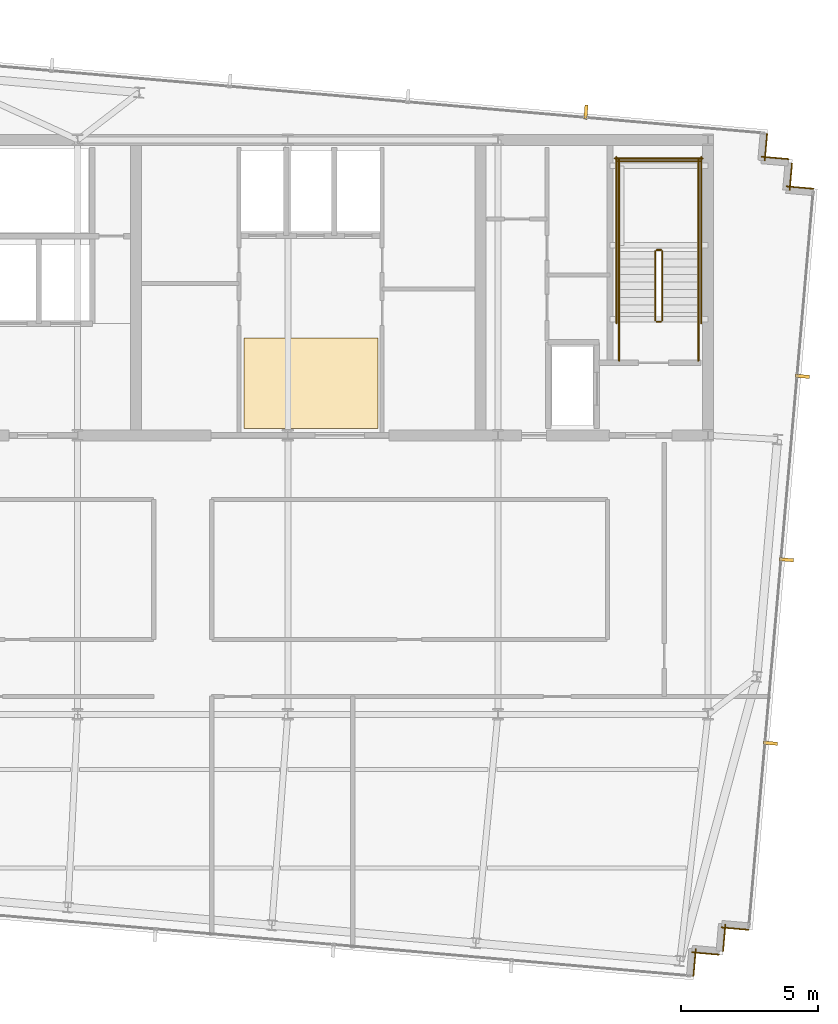
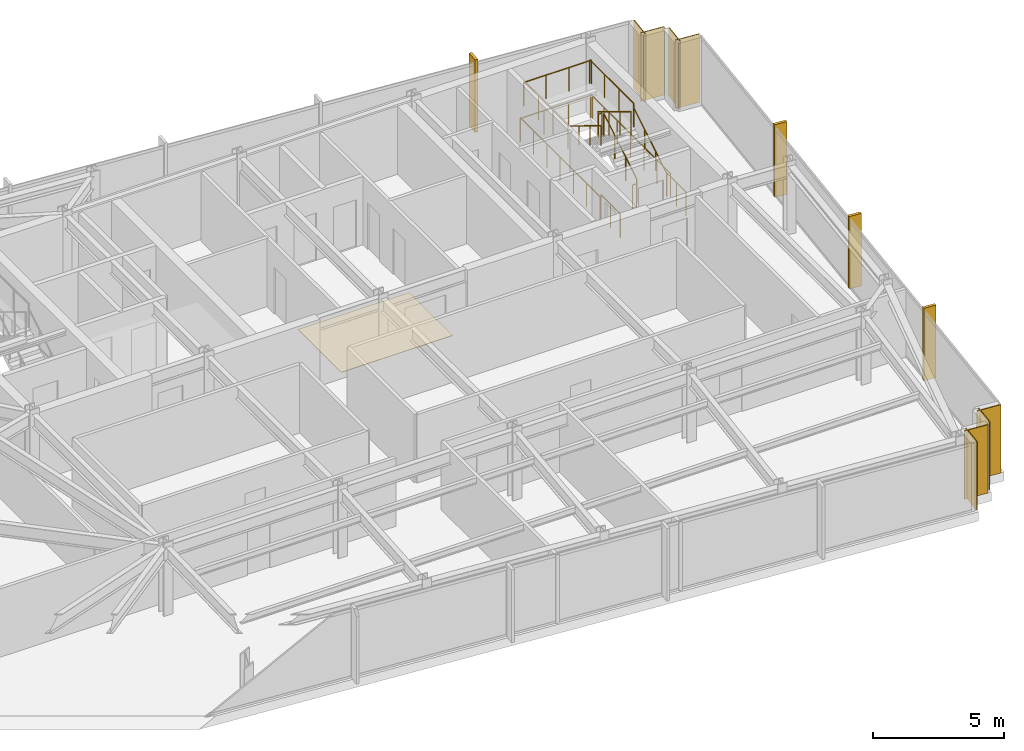
# One storey, part 31 of 32: 14 railings, 9 coverings, 4 shading devices.
"""IFC4 building model written with IfcOpenShell, lengths in metres."""

from ifc_helpers import new_model, si_unit, direction, frame, frame_2d, origin, origin_2d, place, context, subcontext, project, spatial, polyline, rectangle, circle, outline, extrude, material, layer, layer_set, type_object, element, save


model = new_model("IFC4")

# Units and contexts
model_context = context("Model", 3, precision=1e-05, world=origin(), true_north=direction((0.0, 1.0)))
body_context = subcontext(model_context, "Body", "Model", "MODEL_VIEW")
ifc_project = project(units=[si_unit("LENGTHUNIT", "METRE"), si_unit("AREAUNIT", "SQUARE_METRE"), si_unit("VOLUMEUNIT", "CUBIC_METRE"), si_unit("PLANEANGLEUNIT", "RADIAN"), si_unit("MASSUNIT", "GRAM", prefix="KILO")], contexts=[model_context])

# Site, building, storey
site_placement = place(None, origin())
site = spatial("IfcSite", under=ifc_project, at=site_placement, CompositionType="ELEMENT")
building_placement = place(site_placement, origin())
building = spatial("IfcBuilding", under=site, at=building_placement, Name="Yelkora Congress Tower", CompositionType="ELEMENT")
storey_placement = place(building_placement, frame((0.0, 0.0, 259.10009765625)))
storey = spatial("IfcBuildingStorey", under=building, at=storey_placement, Name="L72", CompositionType="ELEMENT", Elevation=259.10009765625)

# Coverings
ifc_material_1 = material(Name="Anatolian bush-hammered limestone", Category="masonry")
ifc_layer_1 = layer(ifc_material_1, 0.0400390625)
ifc_layer_set_1 = layer_set([ifc_layer_1], Name="Anatolian bush-hammered limestone")
covering_type_1 = type_object("IfcCoveringType", Name="COV-CLAD-SPANDREL-40", PredefinedType="CLADDING", material=ifc_layer_set_1)
for number, where, z_axis, x_axis, name in (
    (1, (55.92041015625, 46.431396484375, 0.0), (0.0, 0.0, 1.0), (-0.086903493655, -0.996216734848, 0.0), "L72 Anatolian Limestone Cladding EW-L72-SR11"),
    (2, (55.710693359375, 45.581298828125, 0.0), (0.0, 0.0, 1.0), (0.996193717496, -0.087166950281, 0.0), "L72 Anatolian Limestone Cladding EW-L72-SR12"),
    (3, (56.82958984375, 45.347900390625, 0.0), (0.0, 0.0, 1.0), (-0.087166950281, -0.996193717496, 0.0), "L72 Anatolian Limestone Cladding EW-L72-SR13"),
):
    element("IfcCovering", number, at=place(storey_placement, frame(where, z_axis=z_axis, x_axis=x_axis)), inside=storey, type_object=covering_type_1, Name=name, PredefinedType="CLADDING", context=body_context, shape_type="SweptSolid", body=[
        extrude(rectangle(XDim=1.0, YDim=0.0400390625, at=frame_2d((0.5, 0.0))), origin(), (0.0, 0.0, 1.0), 3.179931640625),
    ])
covering_1_placement = place(storey_placement, frame((56.61962890625, 44.498046875, 0.0), z_axis=(0.0, 0.0, 1.0), x_axis=(0.996195572005, -0.087145753297, 0.0)))
element("IfcCovering", 4, at=covering_1_placement, inside=storey, type_object=covering_type_1, Name="L72 Anatolian Limestone Cladding EW-L72-SR14", PredefinedType="CLADDING", context=body_context, shape_type="SweptSolid", body=[
    extrude(rectangle(XDim=1.000244140625, YDim=0.0400390625, at=frame_2d((0.5, 0.0))), origin(), (0.0, 0.0, 1.0), 3.179931640625),
])
for number, where, z_axis, x_axis, name in (
    (5, (55.24609375, 17.32421875, 0.0), (0.0, 0.0, 1.0), (-0.99617248636, 0.08740925248, 0.0), "L72 Anatolian Limestone Cladding EW-L72-SR16"),
    (6, (54.396240234375, 17.5341796875, 0.0), (0.0, 0.0, 1.0), (-0.087166950281, -0.996193717496, 0.0), "L72 Anatolian Limestone Cladding EW-L72-SR17"),
):
    element("IfcCovering", number, at=place(storey_placement, frame(where, z_axis=z_axis, x_axis=x_axis)), inside=storey, type_object=covering_type_1, Name=name, PredefinedType="CLADDING", context=body_context, shape_type="SweptSolid", body=[
        extrude(rectangle(XDim=1.0, YDim=0.0400390625, at=frame_2d((0.5, 0.0))), origin(), (0.0, 0.0, 1.0), 3.179931640625),
    ])
covering_2_placement = place(storey_placement, frame((54.162841796875, 16.415283203125, 0.0), z_axis=(0.0, 0.0, 1.0), x_axis=(-0.996195572005, 0.087145753297, 0.0)))
element("IfcCovering", 7, at=covering_2_placement, inside=storey, type_object=covering_type_1, Name="L72 Anatolian Limestone Cladding EW-L72-SR18", PredefinedType="CLADDING", context=body_context, shape_type="SweptSolid", body=[
    extrude(rectangle(XDim=1.000244140625, YDim=0.0400390625, at=frame_2d((0.5, 0.0))), origin(), (0.0, 0.0, 1.0), 3.179931640625),
])
covering_3_placement = place(storey_placement, frame((53.312744140625, 16.625, 0.0), z_axis=(0.0, 0.0, 1.0), x_axis=(-0.087166950281, -0.996193717496, 0.0)))
element("IfcCovering", 8, at=covering_3_placement, inside=storey, type_object=covering_type_1, Name="L72 Anatolian Limestone Cladding EW-L72-SR19", PredefinedType="CLADDING", context=body_context, shape_type="SweptSolid", body=[
    extrude(rectangle(XDim=1.0, YDim=0.0400390625, at=frame_2d((0.5, 0.0))), origin(), (0.0, 0.0, 1.0), 3.179931640625),
])
ifc_material_2 = material(Name="Polished Anatolian grey granite tile", Category="masonry")
ifc_layer_2 = layer(ifc_material_2, 0.02001953125)
ifc_layer_set_2 = layer_set([ifc_layer_2], Name="Polished Anatolian grey granite tile")
covering_type_2 = type_object("IfcCoveringType", Name="COV-FLOOR-GRANITE-20", PredefinedType="FLOORING", material=ifc_layer_set_2)
covering_4_placement = place(storey_placement, origin())
element("IfcCovering", 9, at=covering_4_placement, inside=storey, type_object=covering_type_2, Name="L72 Lift Lobby Granite Flooring", PredefinedType="FLOORING", context=body_context, shape_type="SweptSolid", body=[
    extrude(outline(polyline([(36.800048828125, 35.64990234375), (41.699951171875, 35.64990234375), (41.699951171875, 38.949951171875), (36.800048828125, 38.949951171875), (36.800048828125, 35.64990234375)])), origin(), (0.0, 0.0, 1.0), 0.02001953125),
])

# Railings
ifc_material_3 = material(Name="Painted galvanised steel stair well guard with vertical infill", Category="steel")
ifc_layer_3 = layer(ifc_material_3, 0.06005859375)
ifc_layer_set_3 = layer_set([ifc_layer_3], Name="Painted galvanised steel stair well guard with vertical infill")
railing_type_1 = type_object("IfcRailingType", Name="RAIL-STAIR-GUARD-1120", PredefinedType="GUARDRAIL", material=ifc_layer_set_3)
railing_1_placement = place(storey_placement, frame((52.090087890625, 39.60009765625, 0.169921875)))
element("IfcRailing", 10, at=railing_1_placement, inside=storey, type_object=railing_type_1, Name="ST-02 L72 Stair Well Guardrail 1", PredefinedType="GUARDRAIL", context=body_context, shape_type="SweptSolid", body=[
    extrude(circle(Radius=0.02392578125, at=origin_2d()), frame((0.0, 0.0, 1.09619140625), z_axis=(0.0, 0.85478489116, 0.518982456201), x_axis=(-1.0, 0.0, 0.0)), (0.0, 0.0, 1.0), 2.9482421875),
    extrude(circle(Radius=0.02099609375, at=origin_2d()), origin(), (0.0, 0.0, 1.0), 1.072021484375),
    extrude(circle(Radius=0.02099609375, at=origin_2d()), frame((0.0, 0.840087890625, 0.510009765625)), (0.0, 0.0, 1.0), 1.072021484375),
    extrude(circle(Radius=0.02099609375, at=origin_2d()), frame((0.0, 1.679931640625, 1.02001953125)), (0.0, 0.0, 1.0), 1.072021484375),
    extrude(circle(Radius=0.02099609375, at=origin_2d()), frame((0.0, 2.52001953125, 1.530029296875)), (0.0, 0.0, 1.0), 1.072021484375),
])
railing_2_placement = place(storey_placement, frame((52.0400390625, 42.169921875, 1.699951171875)))
element("IfcRailing", 11, at=railing_2_placement, inside=storey, type_object=railing_type_1, Name="ST-02 L72 Stair Well Guardrail 2", PredefinedType="GUARDRAIL", context=body_context, shape_type="SweptSolid", body=[
    extrude(circle(Radius=0.02392578125, at=origin_2d()), frame((0.0, 0.0, 1.09619140625), z_axis=(-1.0, 0.0, 0.0), x_axis=(0.0, -1.0, 0.0)), (0.0, 0.0, 1.0), 0.16015625),
    extrude(circle(Radius=0.02099609375, at=origin_2d()), origin(), (0.0, 0.0, 1.0), 1.072021484375),
    extrude(circle(Radius=0.02099609375, at=origin_2d()), frame((-0.16015625, 0.0, 0.0)), (0.0, 0.0, 1.0), 1.072021484375),
])
for number, where, name in (
    (12, (53.409912109375, 42.1201171875, 1.699951171875), "ST-02 L72 Stair Well Guardrail 3"),
    (13, (50.510009765625, 42.1201171875, 1.699951171875), "ST-02 L72 Stair Well Guardrail 4"),
):
    element("IfcRailing", number, at=place(storey_placement, frame(where)), inside=storey, type_object=railing_type_1, Name=name, PredefinedType="GUARDRAIL", context=body_context, shape_type="SweptSolid", body=[
        extrude(circle(Radius=0.02392578125, at=origin_2d()), frame((0.0, 0.0, 1.09619140625), z_axis=(0.0, 1.0, 0.0), x_axis=(-1.0, 0.0, 0.0)), (0.0, 0.0, 1.0), 3.349853515625),
        extrude(circle(Radius=0.02099609375, at=origin_2d()), origin(), (0.0, 0.0, 1.0), 1.072021484375),
        extrude(circle(Radius=0.02099609375, at=origin_2d()), frame((0.0, 1.11669921875, 0.0)), (0.0, 0.0, 1.0), 1.072021484375),
        extrude(circle(Radius=0.02099609375, at=origin_2d()), frame((0.0, 2.233154296875, 0.0)), (0.0, 0.0, 1.0), 1.072021484375),
        extrude(circle(Radius=0.02099609375, at=origin_2d()), frame((0.0, 3.349853515625, 0.0)), (0.0, 0.0, 1.0), 1.072021484375),
    ])
railing_3_placement = place(storey_placement, frame((53.4599609375, 45.419921875, 1.699951171875)))
element("IfcRailing", 14, at=railing_3_placement, inside=storey, type_object=railing_type_1, Name="ST-02 L72 Stair Well Guardrail 5", PredefinedType="GUARDRAIL", context=body_context, shape_type="SweptSolid", body=[
    extrude(circle(Radius=0.02392578125, at=origin_2d()), frame((0.0, 0.0, 1.09619140625), z_axis=(-1.0, 0.0, 0.0), x_axis=(0.0, -1.0, 0.0)), (0.0, 0.0, 1.0), 3.0),
    extrude(circle(Radius=0.02099609375, at=origin_2d()), origin(), (0.0, 0.0, 1.0), 1.072021484375),
    extrude(circle(Radius=0.02099609375, at=origin_2d()), frame((-1.0, 0.0, 0.0)), (0.0, 0.0, 1.0), 1.072021484375),
    extrude(circle(Radius=0.02099609375, at=origin_2d()), frame((-2.0, 0.0, 0.0)), (0.0, 0.0, 1.0), 1.072021484375),
    extrude(circle(Radius=0.02099609375, at=origin_2d()), frame((-3.0, 0.0, 0.0)), (0.0, 0.0, 1.0), 1.072021484375),
])
railing_4_placement = place(storey_placement, frame((51.830078125, 42.1201171875, 1.869873046875)))
element("IfcRailing", 15, at=railing_4_placement, inside=storey, type_object=railing_type_1, Name="ST-02 L72 Stair Well Guardrail 6", PredefinedType="GUARDRAIL", context=body_context, shape_type="SweptSolid", body=[
    extrude(circle(Radius=0.02392578125, at=origin_2d()), frame((0.0, 0.0, 1.09619140625), z_axis=(0.0, -0.85478489116, 0.518982456201), x_axis=(1.0, 0.0, 0.0)), (0.0, 0.0, 1.0), 2.9482421875),
    extrude(circle(Radius=0.02099609375, at=origin_2d()), origin(), (0.0, 0.0, 1.0), 1.072021484375),
    extrude(circle(Radius=0.02099609375, at=origin_2d()), frame((0.0, -0.840087890625, 0.510009765625)), (0.0, 0.0, 1.0), 1.072021484375),
    extrude(circle(Radius=0.02099609375, at=origin_2d()), frame((0.0, -1.679931640625, 1.02001953125)), (0.0, 0.0, 1.0), 1.072021484375),
    extrude(circle(Radius=0.02099609375, at=origin_2d()), frame((0.0, -2.52001953125, 1.530029296875)), (0.0, 0.0, 1.0), 1.072021484375),
])
railing_5_placement = place(storey_placement, frame((52.0400390625, 39.550048828125, 0.0)))
element("IfcRailing", 16, at=railing_5_placement, inside=storey, type_object=railing_type_1, Name="ST-02 L72 Stair Well Guardrail 7", PredefinedType="GUARDRAIL", context=body_context, shape_type="SweptSolid", body=[
    extrude(circle(Radius=0.02392578125, at=origin_2d()), frame((0.0, 0.0, 1.09619140625), z_axis=(-1.0, 0.0, 0.0), x_axis=(0.0, -1.0, 0.0)), (0.0, 0.0, 1.0), 0.16015625),
    extrude(circle(Radius=0.02099609375, at=origin_2d()), origin(), (0.0, 0.0, 1.0), 1.072021484375),
    extrude(circle(Radius=0.02099609375, at=origin_2d()), frame((-0.16015625, 0.0, 0.0)), (0.0, 0.0, 1.0), 1.072021484375),
])
for number, where, name in (
    (17, (53.409912109375, 38.1201171875, 0.0), "ST-02 L72 Stair Well Guardrail 8"),
    (18, (50.510009765625, 38.1201171875, 0.0), "ST-02 L72 Stair Well Guardrail 9"),
):
    element("IfcRailing", number, at=place(storey_placement, frame(where)), inside=storey, type_object=railing_type_1, Name=name, PredefinedType="GUARDRAIL", context=body_context, shape_type="SweptSolid", body=[
        extrude(circle(Radius=0.02392578125, at=origin_2d()), frame((0.0, 0.0, 1.09619140625), z_axis=(0.0, 1.0, 0.0), x_axis=(-1.0, 0.0, 0.0)), (0.0, 0.0, 1.0), 1.47998046875),
        extrude(circle(Radius=0.02099609375, at=origin_2d()), origin(), (0.0, 0.0, 1.0), 1.072021484375),
        extrude(circle(Radius=0.02099609375, at=origin_2d()), frame((0.0, 0.739990234375, 0.0)), (0.0, 0.0, 1.0), 1.072021484375),
        extrude(circle(Radius=0.02099609375, at=origin_2d()), frame((0.0, 1.47998046875, 0.0)), (0.0, 0.0, 1.0), 1.072021484375),
    ])
for number, where, name in (
    (19, (53.510009765625, 39.5, 0.0), "ST-02 L72 Stair Well Guardrail 10"),
    (20, (50.409912109375, 39.5, 0.0), "ST-02 L72 Stair Well Guardrail 11"),
):
    element("IfcRailing", number, at=place(storey_placement, frame(where)), inside=storey, type_object=railing_type_1, Name=name, PredefinedType="GUARDRAIL", context=body_context, shape_type="SweptSolid", body=[
        extrude(circle(Radius=0.02392578125, at=origin_2d()), frame((0.0, 0.0, 1.09619140625), z_axis=(0.0, 1.0, 0.0), x_axis=(-1.0, 0.0, 0.0)), (0.0, 0.0, 1.0), 6.070068359375),
        extrude(circle(Radius=0.02099609375, at=origin_2d()), origin(), (0.0, 0.0, 1.0), 1.072021484375),
        extrude(circle(Radius=0.02099609375, at=origin_2d()), frame((0.0, 1.01171875, 0.0)), (0.0, 0.0, 1.0), 1.072021484375),
        extrude(circle(Radius=0.02099609375, at=origin_2d()), frame((0.0, 2.0234375, 0.0)), (0.0, 0.0, 1.0), 1.072021484375),
        extrude(circle(Radius=0.02099609375, at=origin_2d()), frame((0.0, 3.03515625, 0.0)), (0.0, 0.0, 1.0), 1.072021484375),
        extrude(circle(Radius=0.02099609375, at=origin_2d()), frame((0.0, 4.046630859375, 0.0)), (0.0, 0.0, 1.0), 1.072021484375),
        extrude(circle(Radius=0.02099609375, at=origin_2d()), frame((0.0, 5.058349609375, 0.0)), (0.0, 0.0, 1.0), 1.072021484375),
        extrude(circle(Radius=0.02099609375, at=origin_2d()), frame((0.0, 6.070068359375, 0.0)), (0.0, 0.0, 1.0), 1.072021484375),
    ])
railing_6_placement = place(storey_placement, frame((53.56005859375, 45.52001953125, 0.0)))
element("IfcRailing", 21, at=railing_6_placement, inside=storey, type_object=railing_type_1, Name="ST-02 L72 Stair Well Guardrail 12", PredefinedType="GUARDRAIL", context=body_context, shape_type="SweptSolid", body=[
    extrude(circle(Radius=0.02392578125, at=origin_2d()), frame((0.0, 0.0, 1.09619140625), z_axis=(-1.0, 0.0, 0.0), x_axis=(0.0, -1.0, 0.0)), (0.0, 0.0, 1.0), 3.199951171875),
    extrude(circle(Radius=0.02099609375, at=origin_2d()), origin(), (0.0, 0.0, 1.0), 1.072021484375),
    extrude(circle(Radius=0.02099609375, at=origin_2d()), frame((-1.066650390625, 0.0, 0.0)), (0.0, 0.0, 1.0), 1.072021484375),
    extrude(circle(Radius=0.02099609375, at=origin_2d()), frame((-2.13330078125, 0.0, 0.0)), (0.0, 0.0, 1.0), 1.072021484375),
    extrude(circle(Radius=0.02099609375, at=origin_2d()), frame((-3.199951171875, 0.0, 0.0)), (0.0, 0.0, 1.0), 1.072021484375),
])
ifc_material_4 = material(Name="Brushed stainless steel tubular handrail", Category="steel")
ifc_layer_4 = layer(ifc_material_4, 0.050048828125)
ifc_layer_set_4 = layer_set([ifc_layer_4], Name="Brushed stainless steel tubular handrail")
railing_type_2 = type_object("IfcRailingType", Name="RAIL-STAIR-HAND-920", PredefinedType="HANDRAIL", material=ifc_layer_set_4)
railing_7_placement = place(storey_placement, frame((53.409912109375, 39.60009765625, 0.169921875)))
element("IfcRailing", 22, at=railing_7_placement, inside=storey, type_object=railing_type_2, Name="ST-02 L72 Pitch Handrail 1", PredefinedType="HANDRAIL", context=body_context, shape_type="SweptSolid", body=[
    extrude(circle(Radius=0.02392578125, at=origin_2d()), frame((0.0, 0.0, 0.89599609375), z_axis=(0.0, 0.85478489116, 0.518982456201), x_axis=(-1.0, 0.0, 0.0)), (0.0, 0.0, 1.0), 2.9482421875),
    extrude(circle(Radius=0.02099609375, at=origin_2d()), origin(), (0.0, 0.0, 1.0), 0.871826171875),
    extrude(circle(Radius=0.02099609375, at=origin_2d()), frame((0.0, 0.840087890625, 0.510009765625)), (0.0, 0.0, 1.0), 0.871826171875),
    extrude(circle(Radius=0.02099609375, at=origin_2d()), frame((0.0, 1.679931640625, 1.02001953125)), (0.0, 0.0, 1.0), 0.871826171875),
    extrude(circle(Radius=0.02099609375, at=origin_2d()), frame((0.0, 2.52001953125, 1.530029296875)), (0.0, 0.0, 1.0), 0.871826171875),
])
railing_8_placement = place(storey_placement, frame((50.510009765625, 42.1201171875, 1.869873046875)))
element("IfcRailing", 23, at=railing_8_placement, inside=storey, type_object=railing_type_2, Name="ST-02 L72 Pitch Handrail 2", PredefinedType="HANDRAIL", context=body_context, shape_type="SweptSolid", body=[
    extrude(circle(Radius=0.02392578125, at=origin_2d()), frame((0.0, 0.0, 0.89599609375), z_axis=(0.0, -0.85478489116, 0.518982456201), x_axis=(1.0, 0.0, 0.0)), (0.0, 0.0, 1.0), 2.9482421875),
    extrude(circle(Radius=0.02099609375, at=origin_2d()), origin(), (0.0, 0.0, 1.0), 0.871826171875),
    extrude(circle(Radius=0.02099609375, at=origin_2d()), frame((0.0, -0.840087890625, 0.510009765625)), (0.0, 0.0, 1.0), 0.871826171875),
    extrude(circle(Radius=0.02099609375, at=origin_2d()), frame((0.0, -1.679931640625, 1.02001953125)), (0.0, 0.0, 1.0), 0.871826171875),
    extrude(circle(Radius=0.02099609375, at=origin_2d()), frame((0.0, -2.52001953125, 1.530029296875)), (0.0, 0.0, 1.0), 0.871826171875),
])

# Shading devices
ifc_material_5 = material(Name="Champagne anodised aluminium", Category="aluminium")
ifc_layer_5 = layer(ifc_material_5, 3.300048828125)
ifc_layer_set_5 = layer_set([ifc_layer_5], Name="Champagne anodised aluminium")
shading_device_type = type_object("IfcShadingDeviceType", Name="SHD-FIN-ALU-520", PredefinedType="USERDEFINED", material=ifc_layer_set_5)
for number, where, z_axis, x_axis, name in (
    (24, (49.296875, 47.21142578125, -0.030029296875), (0.0, 0.0, 1.0), (0.996194698092, -0.087155742748, 0.0), "L72 Vertical Anodised Solar Fin 10-6"),
    (25, (57.216796875, 37.554443359375, -0.030029296875), (0.0, 0.0, 1.0), (-0.087155742748, -0.996194698092, 0.0), "L72 Vertical Anodised Solar Fin 15-1"),
    (26, (56.630126953125, 30.85009765625, -0.030029296875), (0.0, 0.0, 1.0), (-0.087155742748, -0.996194698092, 0.0), "L72 Vertical Anodised Solar Fin 15-2"),
    (27, (56.043701171875, 24.145751953125, -0.030029296875), (0.0, 0.0, 1.0), (-0.087155742748, -0.996194698092, 0.0), "L72 Vertical Anodised Solar Fin 15-3"),
):
    element("IfcShadingDevice", number, at=place(storey_placement, frame(where, z_axis=z_axis, x_axis=x_axis)), inside=storey, type_object=shading_device_type, Name=name, ObjectType="FIN", PredefinedType="USERDEFINED", context=body_context, shape_type="SweptSolid", body=[
        extrude(rectangle(XDim=0.1201171875, YDim=0.52001953125, at=origin_2d()), origin(), (0.0, 0.0, 1.0), 3.3798828125),
    ])

save(model, "model.ifc")
